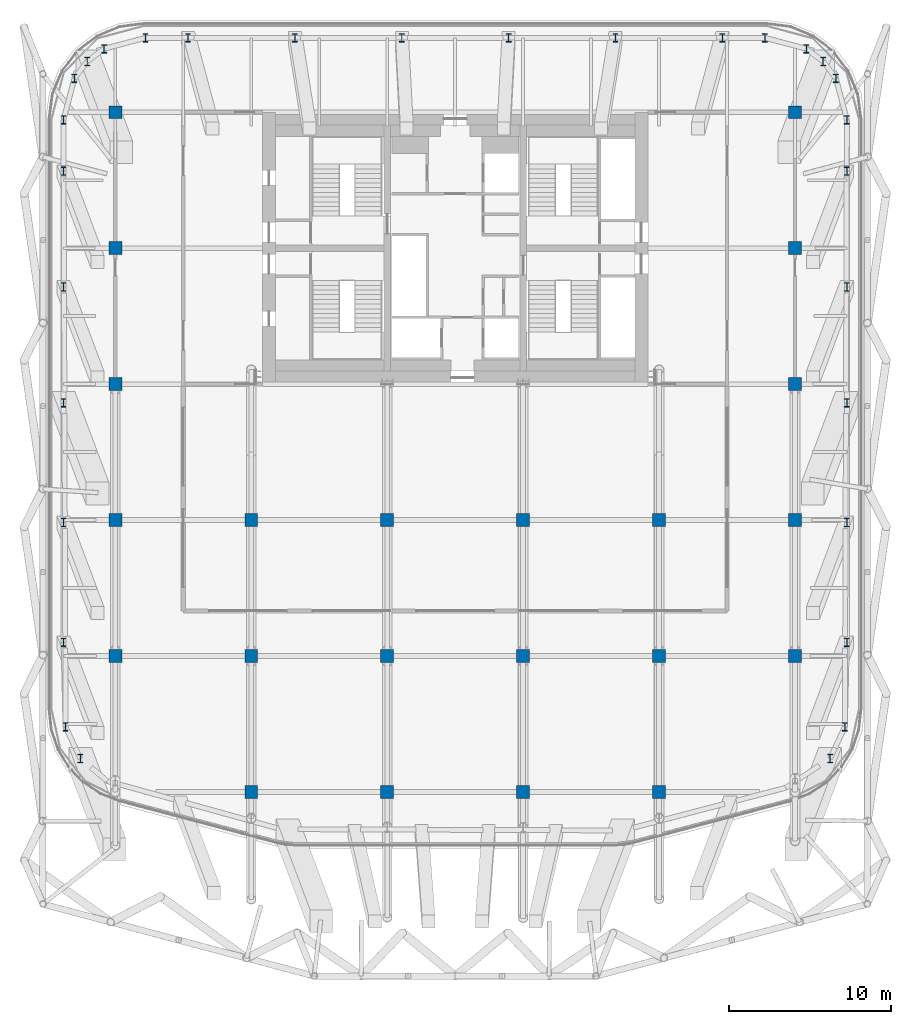
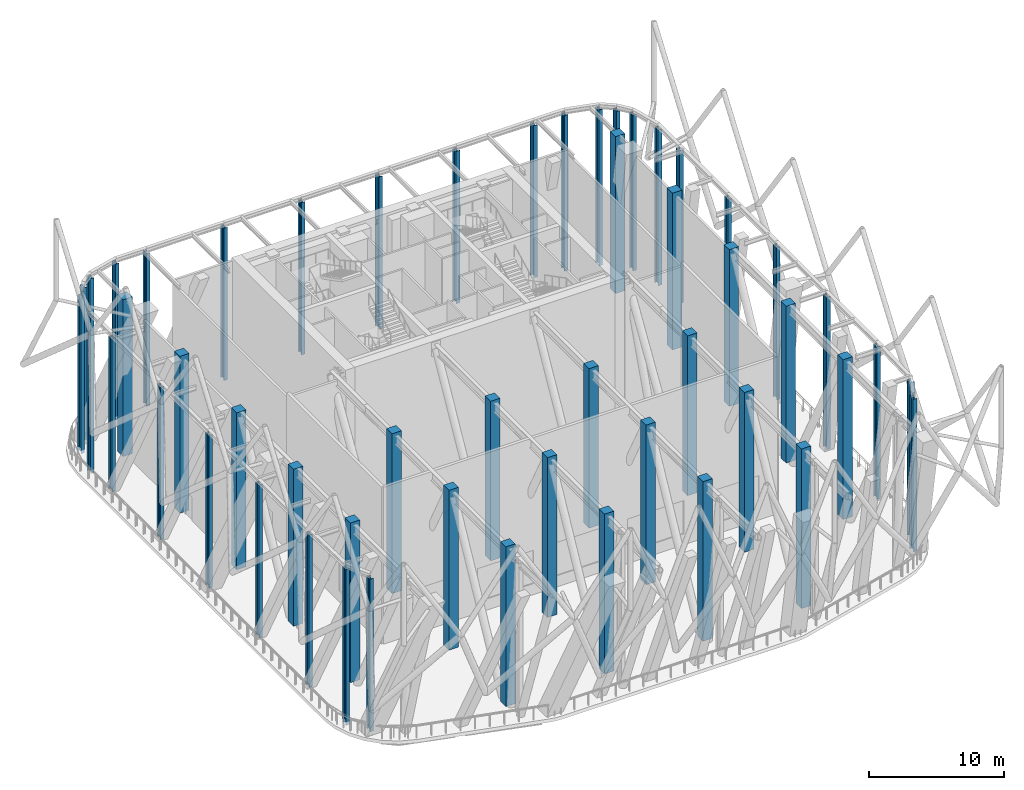
# One storey, part 1 of 20: 52 columns.
"""IFC4 building model written with IfcOpenShell, lengths in metres."""

from ifc_helpers import new_model, si_unit, direction, frame, origin, origin_2d, place, context, subcontext, project, spatial, rectangle, i_section, extrude, material, material_profile, profile_set, type_object, element, save


model = new_model("IFC4")

# Units and contexts
model_context = context("Model", 3, precision=1e-05, world=origin(), true_north=direction((0.0, 1.0)))
body_context = subcontext(model_context, "Body", "Model", "MODEL_VIEW")
ifc_project = project(units=[si_unit("LENGTHUNIT", "METRE"), si_unit("AREAUNIT", "SQUARE_METRE"), si_unit("VOLUMEUNIT", "CUBIC_METRE"), si_unit("PLANEANGLEUNIT", "RADIAN"), si_unit("MASSUNIT", "GRAM", prefix="KILO")], contexts=[model_context])

# Site, building, storey
site_placement = place(None, origin())
site = spatial("IfcSite", under=ifc_project, at=site_placement, CompositionType="ELEMENT")
building_placement = place(site_placement, origin())
building = spatial("IfcBuilding", under=site, at=building_placement, Name="Marenta Gate Hotel Tower", CompositionType="ELEMENT")
storey_placement = place(building_placement, frame((0.0, 0.0, 252.5)))
storey = spatial("IfcBuildingStorey", under=building, at=storey_placement, Name="L60", CompositionType="ELEMENT", Elevation=252.5)

# Columns
ifc_material_1 = material(Name="Concrete C60", Category="concrete")
ifc_material_profile_1 = material_profile(ifc_material_1, rectangle(XDim=0.800048828125, YDim=0.800048828125, at=origin_2d()), Name="800 x 800")
ifc_profile_set_1 = profile_set([ifc_material_profile_1], Name="Concrete C60")
column_type_1 = type_object("IfcColumnType", Name="Interior column 800 x 800 C60", PredefinedType="COLUMN", material=ifc_profile_set_1)
column_1_placement = place(storey_placement, frame((-21.0, -16.800048828125, 0.0), z_axis=(0.0, 0.0, 1.0), x_axis=(1.0, 0.0, 0.0)))
element("IfcColumn", 1, at=column_1_placement, inside=storey, type_object=column_type_1, Name="L60-IC-4D", PredefinedType="COLUMN", context=body_context, shape_type="SweptSolid", body=[
    extrude(rectangle(XDim=0.800048828125, YDim=0.800048828125, at=origin_2d()), origin(), (0.0, 0.0, 1.0), 14.39990234375),
])
for number, where, z_axis, x_axis, name in (
    (2, (-21.0, -8.39990234375, 0.0), (0.0, 0.0, 1.0), (1.0, 0.0, 0.0), "L60-IC-4E"),
    (3, (-21.0, 0.0, 0.0), (0.0, 0.0, 1.0), (1.0, 0.0, 0.0), "L60-IC-4F"),
    (4, (-21.0, 8.39990234375, 0.0), (0.0, 0.0, 1.0), (1.0, 0.0, 0.0), "L60-IC-4G"),
    (5, (-21.0, 16.800048828125, 0.0), (0.0, 0.0, 1.0), (1.0, 0.0, 0.0), "L60-IC-4H"),
):
    element("IfcColumn", number, at=place(storey_placement, frame(where, z_axis=z_axis, x_axis=x_axis)), inside=storey, type_object=column_type_1, Name=name, PredefinedType="COLUMN", context=body_context, shape_type="SweptSolid", body=[
        extrude(rectangle(XDim=0.800048828125, YDim=0.800048828125, at=origin_2d()), origin(), (0.0, 0.0, 1.0), 14.139892578125),
    ])
for number, where, z_axis, x_axis, name in (
    (6, (-12.60009765625, -25.199951171875, 0.0), (0.0, 0.0, 1.0), (1.0, 0.0, 0.0), "L60-IC-5C"),
    (7, (-12.60009765625, -16.800048828125, 0.0), (0.0, 0.0, 1.0), (1.0, 0.0, 0.0), "L60-IC-5D"),
    (8, (-12.60009765625, -8.39990234375, 0.0), (0.0, 0.0, 1.0), (1.0, 0.0, 0.0), "L60-IC-5E"),
    (9, (-4.199951171875, -25.199951171875, 0.0), (0.0, 0.0, 1.0), (1.0, 0.0, 0.0), "L60-IC-6C"),
    (10, (-4.199951171875, -16.800048828125, 0.0), (0.0, 0.0, 1.0), (1.0, 0.0, 0.0), "L60-IC-6D"),
    (11, (-4.199951171875, -8.39990234375, 0.0), (0.0, 0.0, 1.0), (1.0, 0.0, 0.0), "L60-IC-6E"),
    (12, (4.199951171875, -25.199951171875, 0.0), (0.0, 0.0, 1.0), (1.0, 0.0, 0.0), "L60-IC-7C"),
    (13, (4.199951171875, -16.800048828125, 0.0), (0.0, 0.0, 1.0), (1.0, 0.0, 0.0), "L60-IC-7D"),
    (14, (4.199951171875, -8.39990234375, 0.0), (0.0, 0.0, 1.0), (1.0, 0.0, 0.0), "L60-IC-7E"),
    (15, (12.60009765625, -25.199951171875, 0.0), (0.0, 0.0, 1.0), (1.0, 0.0, 0.0), "L60-IC-8C"),
    (16, (12.60009765625, -16.800048828125, 0.0), (0.0, 0.0, 1.0), (1.0, 0.0, 0.0), "L60-IC-8D"),
    (17, (12.60009765625, -8.39990234375, 0.0), (0.0, 0.0, 1.0), (1.0, 0.0, 0.0), "L60-IC-8E"),
    (18, (21.0, -16.800048828125, 0.0), (0.0, 0.0, 1.0), (1.0, 0.0, 0.0), "L60-IC-9D"),
):
    element("IfcColumn", number, at=place(storey_placement, frame(where, z_axis=z_axis, x_axis=x_axis)), inside=storey, type_object=column_type_1, Name=name, PredefinedType="COLUMN", context=body_context, shape_type="SweptSolid", body=[
        extrude(rectangle(XDim=0.800048828125, YDim=0.800048828125, at=origin_2d()), origin(), (0.0, 0.0, 1.0), 14.39990234375),
    ])
for number, where, z_axis, x_axis, name in (
    (19, (21.0, -8.39990234375, 0.0), (0.0, 0.0, 1.0), (1.0, 0.0, 0.0), "L60-IC-9E"),
    (20, (21.0, 0.0, 0.0), (0.0, 0.0, 1.0), (1.0, 0.0, 0.0), "L60-IC-9F"),
    (21, (21.0, 8.39990234375, 0.0), (0.0, 0.0, 1.0), (1.0, 0.0, 0.0), "L60-IC-9G"),
    (22, (21.0, 16.800048828125, 0.0), (0.0, 0.0, 1.0), (1.0, 0.0, 0.0), "L60-IC-9H"),
):
    element("IfcColumn", number, at=place(storey_placement, frame(where, z_axis=z_axis, x_axis=x_axis)), inside=storey, type_object=column_type_1, Name=name, PredefinedType="COLUMN", context=body_context, shape_type="SweptSolid", body=[
        extrude(rectangle(XDim=0.800048828125, YDim=0.800048828125, at=origin_2d()), origin(), (0.0, 0.0, 1.0), 14.139892578125),
    ])
ifc_material_2 = material(Name="Steel S355", Category="steel")
ifc_material_profile_2 = material_profile(ifc_material_2, i_section(OverallWidth=0.305908203125, OverallDepth=0.52392578125, WebThickness=0.02392578125, FlangeThickness=0.0400390625, FilletRadius=0.027099609375, at=origin_2d()), Name="HEM 500")
ifc_profile_set_2 = profile_set([ifc_material_profile_2], Name="Steel S355")
column_type_2 = type_object("IfcColumnType", Name="Terrace post HEM 500", PredefinedType="COLUMN", material=ifc_profile_set_2)
column_2_placement = place(storey_placement, frame((-23.158203125, -23.12939453125, 0.0), z_axis=(0.0, 0.0, 1.0), x_axis=(1.0, 0.0, 0.0)))
element("IfcColumn", 23, at=column_2_placement, inside=storey, type_object=column_type_2, Name="TP-HEM500 L60-TP-1", PredefinedType="COLUMN", context=body_context, shape_type="SweptSolid", body=[
    extrude(i_section(OverallWidth=0.305908203125, OverallDepth=0.52392578125, WebThickness=0.02392578125, FlangeThickness=0.0400390625, FilletRadius=0.027099609375, at=origin_2d()), origin(), (0.0, 0.0, 1.0), 13.739990234375),
])
column_3_placement = place(storey_placement, frame((-24.0751953125, -21.167236328125, -0.300048828125), z_axis=(0.0, 0.0, 1.0), x_axis=(1.0, 0.0, 0.0)))
element("IfcColumn", 24, at=column_3_placement, inside=storey, type_object=column_type_2, Name="TP-HEM500 L60-TP-2", PredefinedType="COLUMN", context=body_context, shape_type="SweptSolid", body=[
    extrude(i_section(OverallWidth=0.305908203125, OverallDepth=0.52392578125, WebThickness=0.02392578125, FlangeThickness=0.0400390625, FilletRadius=0.027099609375, at=origin_2d()), origin(), (0.0, 0.0, 1.0), 14.0400390625),
])
for number, where, z_axis, x_axis, name in (
    (25, (-24.199951171875, -15.951904296875, 0.0), (0.0, 0.0, 1.0), (1.0, 0.0, 0.0), "TP-HEM500 L60-TP-3"),
    (26, (-24.199951171875, -8.55078125, 0.0), (0.0, 0.0, 1.0), (1.0, 0.0, 0.0), "TP-HEM500 L60-TP-4"),
    (27, (-24.199951171875, -1.14990234375, 0.0), (0.0, 0.0, 1.0), (1.0, 0.0, 0.0), "TP-HEM500 L60-TP-5"),
    (28, (-24.199951171875, 6.003173828125, 0.0), (0.0, 0.0, 1.0), (1.0, 0.0, 0.0), "TP-HEM500 L60-TP-6"),
    (29, (-24.199951171875, 13.156494140625, 0.0), (0.0, 0.0, 1.0), (1.0, 0.0, 0.0), "TP-HEM500 L60-TP-7"),
):
    element("IfcColumn", number, at=place(storey_placement, frame(where, z_axis=z_axis, x_axis=x_axis)), inside=storey, type_object=column_type_2, Name=name, PredefinedType="COLUMN", context=body_context, shape_type="SweptSolid", body=[
        extrude(i_section(OverallWidth=0.305908203125, OverallDepth=0.52392578125, WebThickness=0.02392578125, FlangeThickness=0.0400390625, FilletRadius=0.027099609375, at=origin_2d()), origin(), (0.0, 0.0, 1.0), 13.739990234375),
    ])
for number, where, z_axis, x_axis, name in (
    (30, (-24.199951171875, 16.33447265625, -0.300048828125), (0.0, 0.0, 1.0), (1.0, 0.0, 0.0), "TP-HEM500 L60-TP-8"),
    (31, (-23.522705078125, 18.895751953125, -0.300048828125), (0.0, 0.0, 1.0), (1.0, 0.0, 0.0), "TP-HEM500 L60-TP-9"),
):
    element("IfcColumn", number, at=place(storey_placement, frame(where, z_axis=z_axis, x_axis=x_axis)), inside=storey, type_object=column_type_2, Name=name, PredefinedType="COLUMN", context=body_context, shape_type="SweptSolid", body=[
        extrude(i_section(OverallWidth=0.305908203125, OverallDepth=0.52392578125, WebThickness=0.02392578125, FlangeThickness=0.0400390625, FilletRadius=0.027099609375, at=origin_2d()), origin(), (0.0, 0.0, 1.0), 14.0400390625),
    ])
column_4_placement = place(storey_placement, frame((-22.735595703125, 19.935546875, 0.0), z_axis=(0.0, 0.0, 1.0), x_axis=(1.0, 0.0, 0.0)))
element("IfcColumn", 32, at=column_4_placement, inside=storey, type_object=column_type_2, Name="TP-HEM500 L60-TP-10", PredefinedType="COLUMN", context=body_context, shape_type="SweptSolid", body=[
    extrude(i_section(OverallWidth=0.305908203125, OverallDepth=0.52392578125, WebThickness=0.02392578125, FlangeThickness=0.0400390625, FilletRadius=0.027099609375, at=origin_2d()), origin(), (0.0, 0.0, 1.0), 13.739990234375),
])
for number, where, z_axis, x_axis, name in (
    (33, (-21.695556640625, 20.72265625, -0.300048828125), (0.0, 0.0, 1.0), (1.0, 0.0, 0.0), "TP-HEM500 L60-TP-11"),
    (34, (-19.134521484375, 21.39990234375, -0.300048828125), (0.0, 0.0, 1.0), (1.0, 0.0, 0.0), "TP-HEM500 L60-TP-12"),
):
    element("IfcColumn", number, at=place(storey_placement, frame(where, z_axis=z_axis, x_axis=x_axis)), inside=storey, type_object=column_type_2, Name=name, PredefinedType="COLUMN", context=body_context, shape_type="SweptSolid", body=[
        extrude(i_section(OverallWidth=0.305908203125, OverallDepth=0.52392578125, WebThickness=0.02392578125, FlangeThickness=0.0400390625, FilletRadius=0.027099609375, at=origin_2d()), origin(), (0.0, 0.0, 1.0), 14.0400390625),
    ])
for number, where, z_axis, x_axis, name in (
    (35, (-16.5068359375, 21.39990234375, 0.0), (0.0, 0.0, 1.0), (1.0, 0.0, 0.0), "TP-HEM500 L60-TP-13"),
    (36, (-9.904052734375, 21.39990234375, 0.0), (0.0, 0.0, 1.0), (1.0, 0.0, 0.0), "TP-HEM500 L60-TP-14"),
    (37, (-3.301513671875, 21.39990234375, 0.0), (0.0, 0.0, 1.0), (1.0, 0.0, 0.0), "TP-HEM500 L60-TP-15"),
    (38, (3.301513671875, 21.39990234375, 0.0), (0.0, 0.0, 1.0), (1.0, 0.0, 0.0), "TP-HEM500 L60-TP-16"),
    (39, (9.904052734375, 21.39990234375, 0.0), (0.0, 0.0, 1.0), (1.0, 0.0, 0.0), "TP-HEM500 L60-TP-17"),
    (40, (16.5068359375, 21.39990234375, 0.0), (0.0, 0.0, 1.0), (1.0, 0.0, 0.0), "TP-HEM500 L60-TP-18"),
):
    element("IfcColumn", number, at=place(storey_placement, frame(where, z_axis=z_axis, x_axis=x_axis)), inside=storey, type_object=column_type_2, Name=name, PredefinedType="COLUMN", context=body_context, shape_type="SweptSolid", body=[
        extrude(i_section(OverallWidth=0.305908203125, OverallDepth=0.52392578125, WebThickness=0.02392578125, FlangeThickness=0.0400390625, FilletRadius=0.027099609375, at=origin_2d()), origin(), (0.0, 0.0, 1.0), 13.739990234375),
    ])
for number, where, z_axis, x_axis, name in (
    (41, (19.134521484375, 21.39990234375, -0.300048828125), (0.0, 0.0, 1.0), (1.0, 0.0, 0.0), "TP-HEM500 L60-TP-19"),
    (42, (21.695556640625, 20.72265625, -0.300048828125), (0.0, 0.0, 1.0), (1.0, 0.0, 0.0), "TP-HEM500 L60-TP-20"),
):
    element("IfcColumn", number, at=place(storey_placement, frame(where, z_axis=z_axis, x_axis=x_axis)), inside=storey, type_object=column_type_2, Name=name, PredefinedType="COLUMN", context=body_context, shape_type="SweptSolid", body=[
        extrude(i_section(OverallWidth=0.305908203125, OverallDepth=0.52392578125, WebThickness=0.02392578125, FlangeThickness=0.0400390625, FilletRadius=0.027099609375, at=origin_2d()), origin(), (0.0, 0.0, 1.0), 14.0400390625),
    ])
column_5_placement = place(storey_placement, frame((22.735595703125, 19.935546875, 0.0), z_axis=(0.0, 0.0, 1.0), x_axis=(1.0, 0.0, 0.0)))
element("IfcColumn", 43, at=column_5_placement, inside=storey, type_object=column_type_2, Name="TP-HEM500 L60-TP-21", PredefinedType="COLUMN", context=body_context, shape_type="SweptSolid", body=[
    extrude(i_section(OverallWidth=0.305908203125, OverallDepth=0.52392578125, WebThickness=0.02392578125, FlangeThickness=0.0400390625, FilletRadius=0.027099609375, at=origin_2d()), origin(), (0.0, 0.0, 1.0), 13.739990234375),
])
for number, where, z_axis, x_axis, name in (
    (44, (23.522705078125, 18.895751953125, -0.300048828125), (0.0, 0.0, 1.0), (1.0, 0.0, 0.0), "TP-HEM500 L60-TP-22"),
    (45, (24.199951171875, 16.33447265625, -0.300048828125), (0.0, 0.0, 1.0), (1.0, 0.0, 0.0), "TP-HEM500 L60-TP-23"),
):
    element("IfcColumn", number, at=place(storey_placement, frame(where, z_axis=z_axis, x_axis=x_axis)), inside=storey, type_object=column_type_2, Name=name, PredefinedType="COLUMN", context=body_context, shape_type="SweptSolid", body=[
        extrude(i_section(OverallWidth=0.305908203125, OverallDepth=0.52392578125, WebThickness=0.02392578125, FlangeThickness=0.0400390625, FilletRadius=0.027099609375, at=origin_2d()), origin(), (0.0, 0.0, 1.0), 14.0400390625),
    ])
for number, where, z_axis, x_axis, name in (
    (46, (24.199951171875, 13.156494140625, 0.0), (0.0, 0.0, 1.0), (1.0, 0.0, 0.0), "TP-HEM500 L60-TP-24"),
    (47, (24.199951171875, 6.003173828125, 0.0), (0.0, 0.0, 1.0), (1.0, 0.0, 0.0), "TP-HEM500 L60-TP-25"),
    (48, (24.199951171875, -1.14990234375, 0.0), (0.0, 0.0, 1.0), (1.0, 0.0, 0.0), "TP-HEM500 L60-TP-26"),
    (49, (24.199951171875, -8.55078125, 0.0), (0.0, 0.0, 1.0), (1.0, 0.0, 0.0), "TP-HEM500 L60-TP-27"),
    (50, (24.199951171875, -15.951904296875, 0.0), (0.0, 0.0, 1.0), (1.0, 0.0, 0.0), "TP-HEM500 L60-TP-28"),
):
    element("IfcColumn", number, at=place(storey_placement, frame(where, z_axis=z_axis, x_axis=x_axis)), inside=storey, type_object=column_type_2, Name=name, PredefinedType="COLUMN", context=body_context, shape_type="SweptSolid", body=[
        extrude(i_section(OverallWidth=0.305908203125, OverallDepth=0.52392578125, WebThickness=0.02392578125, FlangeThickness=0.0400390625, FilletRadius=0.027099609375, at=origin_2d()), origin(), (0.0, 0.0, 1.0), 13.739990234375),
    ])
column_6_placement = place(storey_placement, frame((24.0751953125, -21.167236328125, -0.300048828125), z_axis=(0.0, 0.0, 1.0), x_axis=(1.0, 0.0, 0.0)))
element("IfcColumn", 51, at=column_6_placement, inside=storey, type_object=column_type_2, Name="TP-HEM500 L60-TP-29", PredefinedType="COLUMN", context=body_context, shape_type="SweptSolid", body=[
    extrude(i_section(OverallWidth=0.305908203125, OverallDepth=0.52392578125, WebThickness=0.02392578125, FlangeThickness=0.0400390625, FilletRadius=0.027099609375, at=origin_2d()), origin(), (0.0, 0.0, 1.0), 14.0400390625),
])
column_7_placement = place(storey_placement, frame((23.158203125, -23.12939453125, 0.0), z_axis=(0.0, 0.0, 1.0), x_axis=(1.0, 0.0, 0.0)))
element("IfcColumn", 52, at=column_7_placement, inside=storey, type_object=column_type_2, Name="TP-HEM500 L60-TP-30", PredefinedType="COLUMN", context=body_context, shape_type="SweptSolid", body=[
    extrude(i_section(OverallWidth=0.305908203125, OverallDepth=0.52392578125, WebThickness=0.02392578125, FlangeThickness=0.0400390625, FilletRadius=0.027099609375, at=origin_2d()), origin(), (0.0, 0.0, 1.0), 13.739990234375),
])

save(model, "model.ifc")
